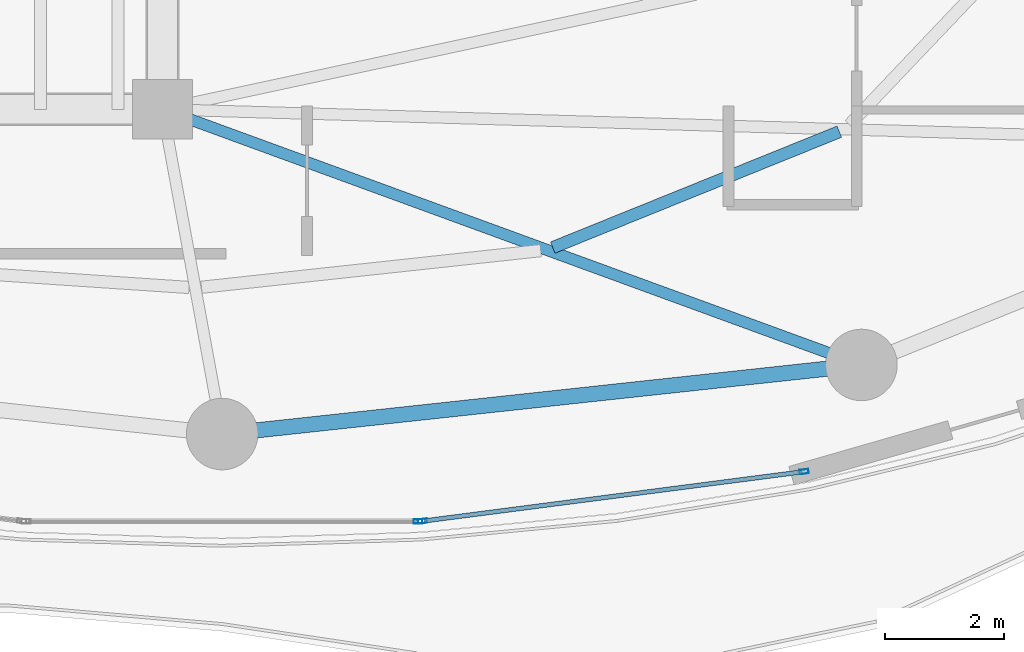
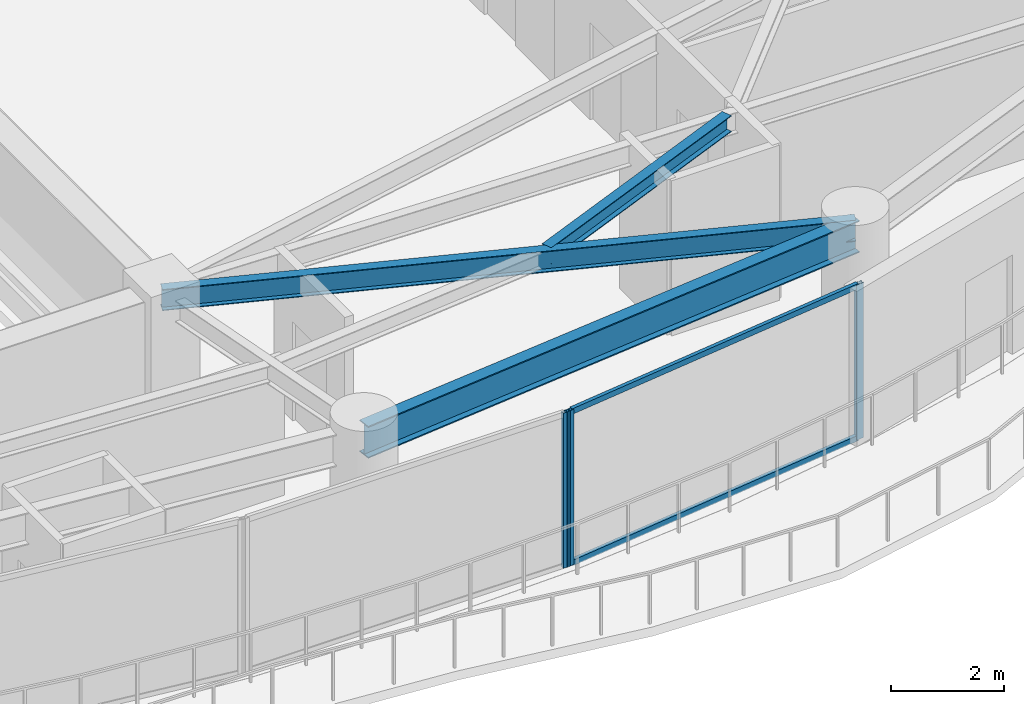
# One storey, part 9 of 28: 5 members, 3 beams, 2 elements without a shape of their own.
"""IFC4 building model written with IfcOpenShell, lengths in metres."""

from ifc_helpers import new_model, si_unit, direction, frame, origin, origin_2d, place, context, subcontext, project, spatial, hollow_rectangle, i_section, extrude, material, layer, layer_set, material_profile, profile_set, type_object, element, aggregate, save


model = new_model("IFC4")

# Units and contexts
model_context = context("Model", 3, precision=1e-05, world=origin(), true_north=direction((0.0, 1.0)))
body_context = subcontext(model_context, "Body", "Model", "MODEL_VIEW")
ifc_project = project(units=[si_unit("LENGTHUNIT", "METRE"), si_unit("AREAUNIT", "SQUARE_METRE"), si_unit("VOLUMEUNIT", "CUBIC_METRE"), si_unit("PLANEANGLEUNIT", "RADIAN"), si_unit("MASSUNIT", "GRAM", prefix="KILO")], contexts=[model_context])

# Site, building, storey
site_placement = place(None, origin())
site = spatial("IfcSite", under=ifc_project, at=site_placement, CompositionType="ELEMENT")
building_placement = place(site_placement, origin())
building = spatial("IfcBuilding", under=site, at=building_placement, Name="Kazevale Care Tower and Concert Hall", CompositionType="ELEMENT")
storey_placement = place(building_placement, frame((0.0, 0.0, 142.199951171875)))
storey = spatial("IfcBuildingStorey", under=building, at=storey_placement, Name="L37", CompositionType="ELEMENT", Elevation=142.199951171875)

# Curtain wall, members
ifc_material_1 = material(Name="Aluminium 6063-T6 and Low-E Glass", Category="aluminium")
ifc_layer = layer(ifc_material_1, 0.179931640625)
ifc_layer_set = layer_set([ifc_layer], Name="Aluminium 6063-T6 and Low-E Glass")
curtain_wall_type = type_object("IfcCurtainWallType", Name="Sheltered Concave Balcony Curtain Wall CW-5", PredefinedType="NOTDEFINED", material=ifc_layer_set)
curtain_wall_1_placement = place(storey_placement, origin())
curtain_wall_1 = element("IfcCurtainWall", 1, at=curtain_wall_1_placement, inside=storey, type_object=curtain_wall_type, Name="cw:L37:f05", PredefinedType="NOTDEFINED")
ifc_material_2 = material(Name="Aluminium 6063-T6", Category="aluminium")
ifc_material_profile_1 = material_profile(ifc_material_2, hollow_rectangle(XDim=0.074951171875, YDim=0.14990234375, WallThickness=0.00390625, at=origin_2d()), Name="ALU75x150x4")
ifc_profile_set_1 = profile_set([ifc_material_profile_1], Name="Aluminium 6063-T6")
member_type_1 = type_object("IfcMemberType", Name="CW-5 Mullion ALU75x150x4", PredefinedType="MULLION", material=ifc_profile_set_1)
member_1_placement = place(storey_placement, frame((54.768798828125, 17.520263671875, 0.0), z_axis=(0.0, 0.0, 1.0), x_axis=(0.12868500567, -0.991685519364, 0.0)))
member_1 = element("IfcMember", 2, at=member_1_placement, type_object=member_type_1, Name="CW-5 mullion 1", PredefinedType="MULLION", context=body_context, shape_type="SweptSolid", body=[
    extrude(hollow_rectangle(XDim=0.074951171875, YDim=0.14990234375, WallThickness=0.00390625, at=origin_2d()), origin(), (0.0, 0.0, 1.0), 3.360107421875),
])
member_2_placement = place(storey_placement, frame((48.3623046875, 16.688720703125, 0.0), z_axis=(0.0, 0.0, 1.0), x_axis=(0.12868500567, -0.991685519364, 0.0)))
member_2 = element("IfcMember", 3, at=member_2_placement, type_object=member_type_1, Name="CW-5 mullion 2", PredefinedType="MULLION", context=body_context, shape_type="SweptSolid", body=[
    extrude(hollow_rectangle(XDim=0.074951171875, YDim=0.14990234375, WallThickness=0.00390625, at=origin_2d()), origin(), (0.0, 0.0, 1.0), 3.360107421875),
])

# Curtain wall, member
curtain_wall_2_placement = place(storey_placement, origin())
curtain_wall_2 = element("IfcCurtainWall", 4, at=curtain_wall_2_placement, inside=storey, type_object=curtain_wall_type, Name="cw:L37:f06", PredefinedType="NOTDEFINED")
member_3_placement = place(storey_placement, frame((48.28759765625, 16.68408203125, 0.0), z_axis=(0.0, 0.0, 1.0), x_axis=(0.0, -1.0, 0.0)))
member_3 = element("IfcMember", 5, at=member_3_placement, type_object=member_type_1, Name="CW-5 mullion 1", PredefinedType="MULLION", context=body_context, shape_type="SweptSolid", body=[
    extrude(hollow_rectangle(XDim=0.074951171875, YDim=0.14990234375, WallThickness=0.00390625, at=origin_2d()), origin(), (0.0, 0.0, 1.0), 3.360107421875),
])
aggregate(curtain_wall_2, [member_3])

# Member
ifc_material_profile_2 = material_profile(ifc_material_2, hollow_rectangle(XDim=0.074951171875, YDim=0.1201171875, WallThickness=0.00390625, at=origin_2d()), Name="ALU75x120x4")
ifc_profile_set_2 = profile_set([ifc_material_profile_2], Name="Aluminium 6063-T6")
member_type_2 = type_object("IfcMemberType", Name="CW-5 Transom ALU75x120x4", PredefinedType="USERDEFINED", material=ifc_profile_set_2)
member_4_placement = place(storey_placement, frame((54.731689453125, 17.515380859375, 0.03759765625), z_axis=(-0.991683991743, -0.12869677743, 0.0), x_axis=(0.12869677743, -0.991683991743, 0.0)))
member_4 = element("IfcMember", 6, at=member_4_placement, type_object=member_type_2, Name="CW-5 transom 1.1", ObjectType="TRANSOM", PredefinedType="USERDEFINED", context=body_context, shape_type="SweptSolid", body=[
    extrude(hollow_rectangle(XDim=0.074951171875, YDim=0.1201171875, WallThickness=0.00390625, at=origin_2d()), origin(), (0.0, 0.0, 1.0), 6.385498046875),
])

member_5_placement = place(storey_placement, frame((54.731689453125, 17.515380859375, 3.322509765625), z_axis=(-0.991683991743, -0.12869677743, 0.0), x_axis=(0.12869677743, -0.991683991743, 0.0)))
member_5 = element("IfcMember", 7, at=member_5_placement, type_object=member_type_2, Name="CW-5 transom 1.2", ObjectType="TRANSOM", PredefinedType="USERDEFINED", context=body_context, shape_type="SweptSolid", body=[
    extrude(hollow_rectangle(XDim=0.074951171875, YDim=0.1201171875, WallThickness=0.00390625, at=origin_2d()), origin(), (0.0, 0.0, 1.0), 6.385498046875),
])

aggregate(curtain_wall_1, [member_1, member_2, member_4, member_5])

# Beams
ifc_material_3 = material(Name="Steel ASTM A572 Gr 50", Category="steel")
ifc_material_profile_3 = material_profile(ifc_material_3, i_section(OverallWidth=0.19091796875, OverallDepth=0.4599609375, WebThickness=0.010009765625, FlangeThickness=0.01611328125, at=origin_2d()), Name="W460x82")
ifc_profile_set_3 = profile_set([ifc_material_profile_3], Name="Steel ASTM A572 Gr 50")
beam_type_1 = type_object("IfcBeamType", Name="Radial Floor Beam W460x82", PredefinedType="BEAM", material=ifc_profile_set_3)
beam_1_placement = place(storey_placement, frame((44.0, 23.60009765625, 3.130126953125), z_axis=(0.939159459123, -0.343481455599, 0.0), x_axis=(0.343481455599, 0.939159459123, 0.0)))
element("IfcBeam", 8, at=beam_1_placement, inside=storey, type_object=beam_type_1, Name="beam:L37:rad:14", PredefinedType="BEAM", context=body_context, shape_type="SweptSolid", body=[
    extrude(i_section(OverallWidth=0.19091796875, OverallDepth=0.4599609375, WebThickness=0.010009765625, FlangeThickness=0.01611328125, at=origin_2d()), origin(), (0.0, 0.0, 1.0), 12.489990234375),
])
ifc_material_profile_4 = material_profile(ifc_material_3, i_section(OverallWidth=0.205078125, OverallDepth=0.35400390625, WebThickness=0.009521484375, FlangeThickness=0.016845703125, at=origin_2d()), Name="W360x79")
ifc_profile_set_4 = profile_set([ifc_material_profile_4], Name="Steel ASTM A572 Gr 50")
beam_type_2 = type_object("IfcBeamType", Name="Secondary Floor Joist W360x79", PredefinedType="JOIST", material=ifc_profile_set_4)
beam_2_placement = place(storey_placement, frame((50.549072265625, 21.280029296875, 3.18310546875), z_axis=(0.927064833216, 0.374901046964, 0.0), x_axis=(-0.374901046964, 0.927064833216, 0.0)))
element("IfcBeam", 9, at=beam_2_placement, inside=storey, type_object=beam_type_2, Name="beam:L37:joist:14", PredefinedType="JOIST", context=body_context, shape_type="SweptSolid", body=[
    extrude(i_section(OverallWidth=0.205078125, OverallDepth=0.35400390625, WebThickness=0.009521484375, FlangeThickness=0.016845703125, at=origin_2d()), origin(), (0.0, 0.0, 1.0), 5.188232421875),
])
ifc_material_profile_5 = material_profile(ifc_material_3, i_section(OverallWidth=0.256103515625, OverallDepth=0.693115234375, WebThickness=0.014404296875, FlangeThickness=0.023681640625, at=origin_2d()), Name="W690x170")
ifc_profile_set_5 = profile_set([ifc_material_profile_5], Name="Steel ASTM A572 Gr 50")
beam_type_3 = type_object("IfcBeamType", Name="Waist Ring Beam W690x170", PredefinedType="BEAM", material=ifc_profile_set_5)
beam_3_placement = place(storey_placement, frame((45.0, 18.14990234375, 3.013427734375), z_axis=(0.994205479487, 0.107496346724, 0.0), x_axis=(-0.107496346724, 0.994205479487, 0.0)))
element("IfcBeam", 10, at=beam_3_placement, inside=storey, type_object=beam_type_3, Name="beam:L37:ring:13", PredefinedType="BEAM", context=body_context, shape_type="SweptSolid", body=[
    extrude(i_section(OverallWidth=0.256103515625, OverallDepth=0.693115234375, WebThickness=0.014404296875, FlangeThickness=0.023681640625, at=origin_2d()), origin(), (0.0, 0.0, 1.0), 10.79248046875),
])

save(model, "model.ifc")
